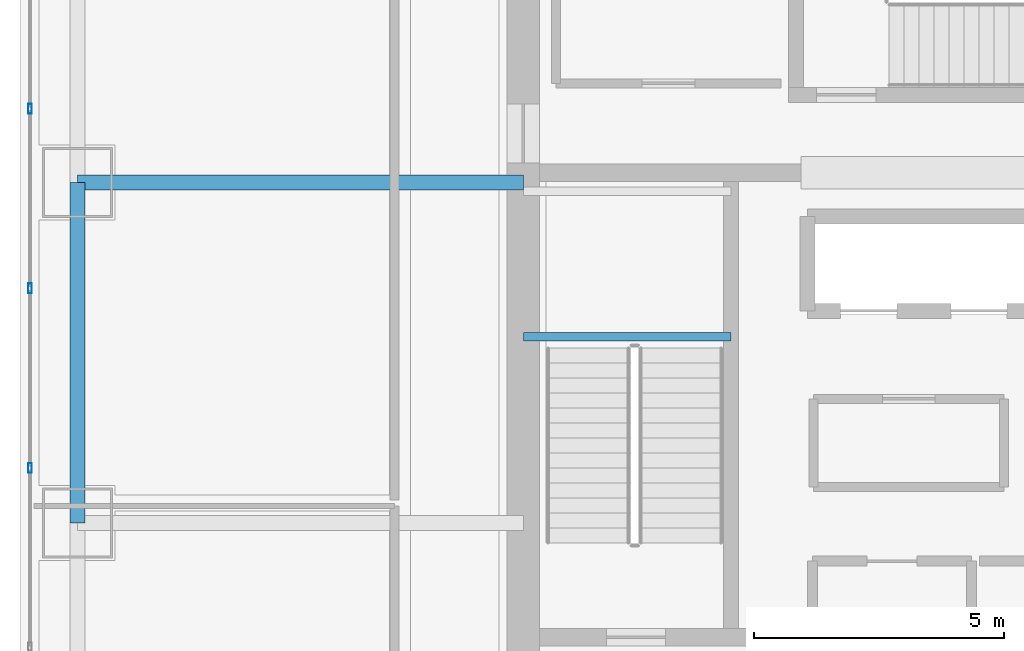
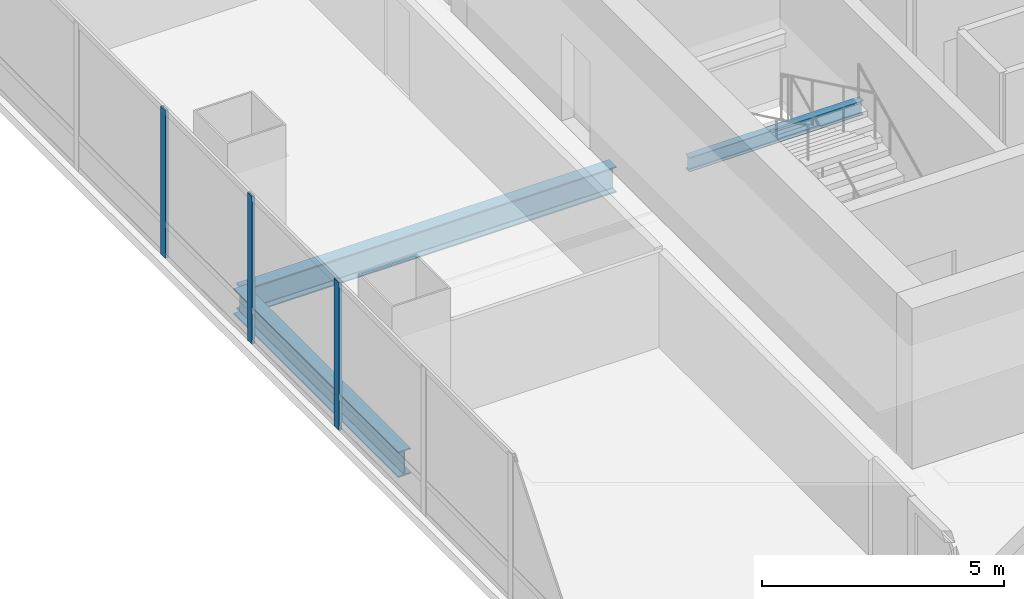
# One storey, part 11 of 35: 3 beams, 3 members, 1 element without a shape of its own.
"""IFC4 building model written with IfcOpenShell, lengths in metres."""

from ifc_helpers import new_model, si_unit, direction, frame, origin, origin_2d, place, context, subcontext, project, spatial, hollow_rectangle, i_section, extrude, material, material_profile, profile_set, type_object, element, aggregate, save


model = new_model("IFC4")

# Units and contexts
model_context = context("Model", 3, precision=1e-05, world=origin(), true_north=direction((0.0, 1.0)))
body_context = subcontext(model_context, "Body", "Model", "MODEL_VIEW")
ifc_project = project(units=[si_unit("LENGTHUNIT", "METRE"), si_unit("AREAUNIT", "SQUARE_METRE"), si_unit("VOLUMEUNIT", "CUBIC_METRE"), si_unit("PLANEANGLEUNIT", "RADIAN"), si_unit("MASSUNIT", "GRAM", prefix="KILO")], contexts=[model_context])

# Site, building, storey
site_placement = place(None, origin())
site = spatial("IfcSite", under=ifc_project, at=site_placement, CompositionType="ELEMENT")
building_placement = place(site_placement, origin())
building = spatial("IfcBuilding", under=site, at=building_placement, Name="Punatoya Terracotta Tower", CompositionType="ELEMENT")
storey_placement = place(building_placement, frame((0.0, 0.0, 232.949951171875)))
storey = spatial("IfcBuildingStorey", under=building, at=storey_placement, Name="L55", CompositionType="ELEMENT", Elevation=232.949951171875)

# Beams
ifc_material_1 = material(Name="Steel S355", Category="steel")
ifc_material_profile_1 = material_profile(ifc_material_1, i_section(OverallWidth=0.300048828125, OverallDepth=0.64990234375, WebThickness=0.01611328125, FlangeThickness=0.031005859375, FilletRadius=0.01806640625, at=origin_2d()))
ifc_profile_set_1 = profile_set([ifc_material_profile_1], Name="Steel S355")
beam_type_1 = type_object("IfcBeamType", Name="BM-PRI-650", PredefinedType="BEAM", material=ifc_profile_set_1)
beam_1_placement = place(storey_placement, frame((-19.10009765625, -3.39990234375, -0.544921875), z_axis=(0.0, 1.0, 0.0), x_axis=(-1.0, 0.0, 0.0)))
element("IfcBeam", 1, at=beam_1_placement, inside=storey, type_object=beam_type_1, Name="BM-L55-RG-W2", PredefinedType="BEAM", context=body_context, shape_type="SweptSolid", body=[
    extrude(i_section(OverallWidth=0.300048828125, OverallDepth=0.64990234375, WebThickness=0.01611328125, FlangeThickness=0.031005859375, FilletRadius=0.01806640625, at=origin_2d()), origin(), (0.0, 0.0, 1.0), 6.7998046875),
])
beam_2_placement = place(storey_placement, frame((-19.10009765625, 3.39990234375, -0.544921875), z_axis=(1.0, 0.0, 0.0), x_axis=(0.0, 1.0, 0.0)))
element("IfcBeam", 2, at=beam_2_placement, inside=storey, type_object=beam_type_1, Name="BM-L55-PR-WE", PredefinedType="BEAM", context=body_context, shape_type="SweptSolid", body=[
    extrude(i_section(OverallWidth=0.300048828125, OverallDepth=0.64990234375, WebThickness=0.01611328125, FlangeThickness=0.031005859375, FilletRadius=0.01806640625, at=origin_2d()), origin(), (0.0, 0.0, 1.0), 8.900146484375),
])
ifc_material_profile_2 = material_profile(ifc_material_1, i_section(OverallWidth=0.169921875, OverallDepth=0.360107421875, WebThickness=0.008056640625, FlangeThickness=0.0126953125, FilletRadius=0.01806640625, at=origin_2d()))
ifc_profile_set_2 = profile_set([ifc_material_profile_2], Name="Steel S355")
beam_type_2 = type_object("IfcBeamType", Name="BM-SEC-360", PredefinedType="JOIST", material=ifc_profile_set_2)
beam_3_placement = place(storey_placement, frame((-10.199951171875, 0.320068359375, 1.64501953125), z_axis=(1.0, 0.0, 0.0), x_axis=(0.0, 1.0, 0.0)))
element("IfcBeam", 3, at=beam_3_placement, inside=storey, type_object=beam_type_2, Name="BM-L55-ST-1-LD1A", PredefinedType="JOIST", context=body_context, shape_type="SweptSolid", body=[
    extrude(i_section(OverallWidth=0.169921875, OverallDepth=0.360107421875, WebThickness=0.008056640625, FlangeThickness=0.0126953125, FilletRadius=0.01806640625, at=origin_2d()), origin(), (0.0, 0.0, 1.0), 4.14990234375),
])

# Curtain wall, members
ifc_material_2 = material(Name="Aluminium 6063-T6 + Double Low-E Glass", Category="aluminium")
curtain_wall_type = type_object("IfcCurtainWallType", Name="CW-M2", PredefinedType="NOTDEFINED", material=ifc_material_2)
curtain_wall_placement = place(storey_placement, origin())
curtain_wall = element("IfcCurtainWall", 4, at=curtain_wall_placement, inside=storey, type_object=curtain_wall_type, Name="L55 Curtain Wall CW-L55-W11-1", PredefinedType="NOTDEFINED")
ifc_material_3 = material(Name="Aluminium 6063-T6", Category="aluminium")
ifc_material_profile_3 = material_profile(ifc_material_3, hollow_rectangle(XDim=0.072021484375, YDim=0.195068359375, WallThickness=0.00439453125, at=origin_2d()))
ifc_profile_set_3 = profile_set([ifc_material_profile_3], Name="Aluminium 6063-T6")
member_type = type_object("IfcMemberType", Name="CW-MUL-M2", PredefinedType="MULLION", material=ifc_profile_set_3)
member_1_placement = place(storey_placement, frame((-20.050048828125, 4.875, 0.0), z_axis=(0.0, 0.0, 1.0), x_axis=(1.0, 0.0, 0.0)))
member_1 = element("IfcMember", 5, at=member_1_placement, type_object=member_type, Name="CW-L55-W11-1 Mullion 02", PredefinedType="MULLION", context=body_context, shape_type="SweptSolid", body=[
    extrude(hollow_rectangle(XDim=0.072021484375, YDim=0.195068359375, WallThickness=0.00439453125, at=origin_2d()), origin(), (0.0, 0.0, 1.0), 3.72998046875),
])
member_2_placement = place(storey_placement, frame((-20.050048828125, 1.28759765625, 0.0), z_axis=(0.0, 0.0, 1.0), x_axis=(1.0, 0.0, 0.0)))
member_2 = element("IfcMember", 6, at=member_2_placement, type_object=member_type, Name="CW-L55-W11-1 Mullion 03", PredefinedType="MULLION", context=body_context, shape_type="SweptSolid", body=[
    extrude(hollow_rectangle(XDim=0.072021484375, YDim=0.195068359375, WallThickness=0.00439453125, at=origin_2d()), origin(), (0.0, 0.0, 1.0), 3.72998046875),
])
member_3_placement = place(storey_placement, frame((-20.050048828125, -2.2998046875, 0.0), z_axis=(0.0, 0.0, 1.0), x_axis=(1.0, 0.0, 0.0)))
member_3 = element("IfcMember", 7, at=member_3_placement, type_object=member_type, Name="CW-L55-W11-1 Mullion 04", PredefinedType="MULLION", context=body_context, shape_type="SweptSolid", body=[
    extrude(hollow_rectangle(XDim=0.072021484375, YDim=0.195068359375, WallThickness=0.00439453125, at=origin_2d()), origin(), (0.0, 0.0, 1.0), 3.72998046875),
])
aggregate(curtain_wall, [member_1, member_2, member_3])

save(model, "model.ifc")
